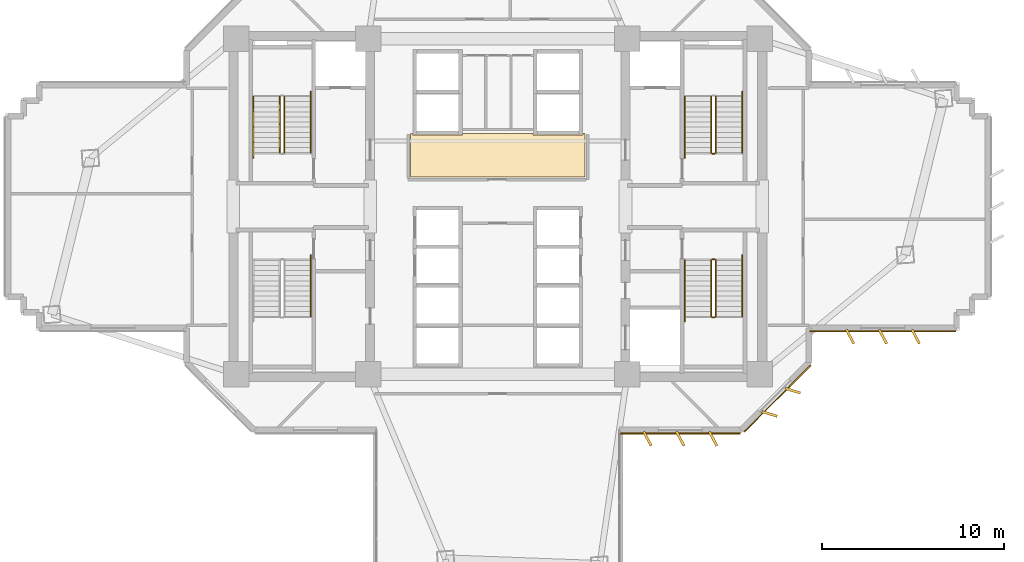
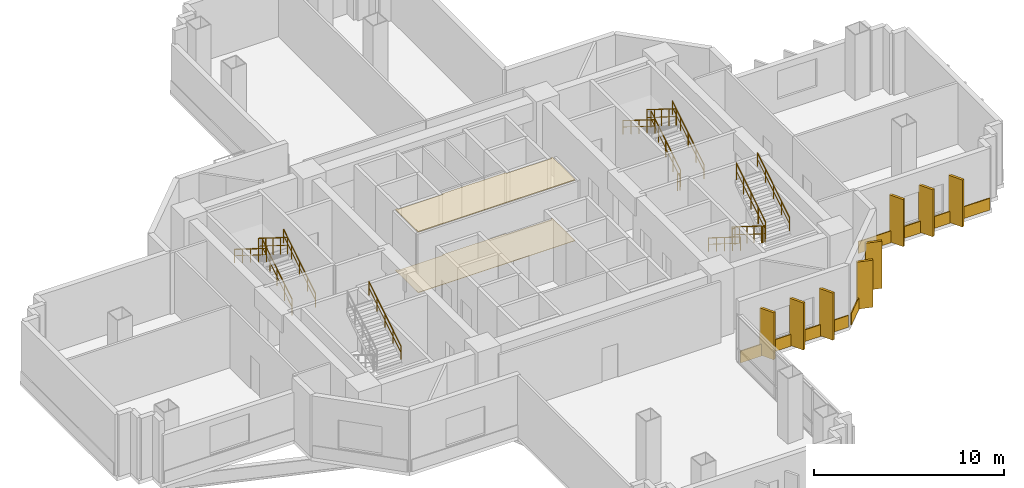
# One storey, part 11 of 14: 16 railings, 8 shading devices, 5 coverings.
"""IFC4 building model written with IfcOpenShell, lengths in metres."""

from ifc_helpers import new_model, si_unit, direction, frame, origin, origin_2d, place, context, subcontext, project, spatial, polyline, rectangle, outline, extrude, source, transform, mapped, material, layer, layer_set, type_object, element, save


model = new_model("IFC4")

# Units and contexts
model_context = context("Model", 3, precision=1e-05, world=origin(), true_north=direction((0.0, 1.0)))
body_context = subcontext(model_context, "Body", "Model", "MODEL_VIEW")
ifc_project = project(units=[si_unit("LENGTHUNIT", "METRE"), si_unit("AREAUNIT", "SQUARE_METRE"), si_unit("VOLUMEUNIT", "CUBIC_METRE"), si_unit("PLANEANGLEUNIT", "RADIAN"), si_unit("MASSUNIT", "GRAM", prefix="KILO")], contexts=[model_context])

# Site, building, storey
site_placement = place(None, origin())
site = spatial("IfcSite", under=ifc_project, at=site_placement, CompositionType="ELEMENT")
building_placement = place(site_placement, origin())
building = spatial("IfcBuilding", under=site, at=building_placement, Name="Zahravan Cultural Tower", CompositionType="ELEMENT")
storey_placement = place(building_placement, frame((0.0, 0.0, 37.5)))
storey = spatial("IfcBuildingStorey", under=building, at=storey_placement, Name="L07", CompositionType="ELEMENT", Elevation=37.5)

# Coverings
ifc_material_1 = material(Name="Acoustic mineral fibreboard")
ifc_layer_1 = layer(ifc_material_1, 0.0400390625)
ifc_layer_set_1 = layer_set([ifc_layer_1], Name="Acoustic mineral fibreboard")
covering_type_1 = type_object("IfcCoveringType", Name="COV-CEIL-AC20", PredefinedType="CEILING", material=ifc_layer_set_1)
covering_1_placement = place(storey_placement, frame((0.0, 0.0, 3.909912109375)))
element("IfcCovering", 1, at=covering_1_placement, inside=storey, type_object=covering_type_1, Name="L07 Acoustic Suspended Ceiling", PredefinedType="CEILING", context=body_context, shape_type="SweptSolid", body=[
    extrude(outline(polyline([(31.219970703125, 31.0), (31.219970703125, 28.6201171875), (40.780029296875, 28.6201171875), (40.780029296875, 31.0), (40.669921875, 31.0), (40.669921875, 30.929931640625), (37.929931640625, 30.929931640625), (37.929931640625, 31.0), (34.070068359375, 31.0), (34.070068359375, 30.929931640625), (31.330078125, 30.929931640625), (31.330078125, 31.0), (31.219970703125, 31.0)])), origin(), (0.0, 0.0, 1.0), 0.0400390625),
])
ifc_material_2 = material(Name="Terrazzo flooring")
ifc_layer_2 = layer(ifc_material_2, 0.02490234375)
ifc_layer_set_2 = layer_set([ifc_layer_2], Name="Terrazzo flooring")
covering_type_2 = type_object("IfcCoveringType", Name="COV-FLR-TZ25", PredefinedType="FLOORING", material=ifc_layer_set_2)
covering_2_placement = place(storey_placement, origin())
element("IfcCovering", 2, at=covering_2_placement, inside=storey, type_object=covering_type_2, Name="L07 Polished Terrazzo Flooring", PredefinedType="FLOORING", context=body_context, shape_type="SweptSolid", body=[
    extrude(outline(polyline([(31.219970703125, 31.0), (31.219970703125, 28.6201171875), (40.780029296875, 28.6201171875), (40.780029296875, 31.0), (40.669921875, 31.0), (40.669921875, 30.929931640625), (37.929931640625, 30.929931640625), (37.929931640625, 31.0), (34.070068359375, 31.0), (34.070068359375, 30.929931640625), (31.330078125, 30.929931640625), (31.330078125, 31.0), (31.219970703125, 31.0)])), origin(), (0.0, 0.0, 1.0), 0.02490234375),
])

# Railings
ifc_material_3 = material(Name="Steel ASTM A572 Grade 50", Category="steel")
railing_type_1 = type_object("IfcRailingType", Name="RL-STAIR-GRD1150", PredefinedType="BALUSTRADE", material=ifc_material_3)
railing_1_placement = place(storey_placement, frame((24.300048828125, 29.949951171875, 0.175048828125)))
element("IfcRailing", 3, at=railing_1_placement, inside=storey, type_object=railing_type_1, Name="L07 ST-W1 stair guard 1", PredefinedType="BALUSTRADE", context=body_context, shape_type="SweptSolid", body=[
    extrude(rectangle(XDim=0.05, YDim=0.05, at=origin_2d()), frame((0.0, 0.0, 1.0751953125), z_axis=(0.0, 0.847998304005, 0.529998940003), x_axis=(-1.0, 0.0, 0.0)), (0.0, 0.0, 1.0), 3.632080078125),
    extrude(rectangle(XDim=0.032, YDim=0.032, at=origin_2d()), frame((0.0, 0.0, 0.572021484375), z_axis=(0.0, 0.847998304005, 0.529998940003), x_axis=(-1.0, 0.0, 0.0)), (0.0, 0.0, 1.0), 3.632080078125),
    extrude(rectangle(XDim=0.04, YDim=0.04, at=origin_2d()), origin(), (0.0, 0.0, 1.0), 1.10009765625),
    extrude(rectangle(XDim=0.04, YDim=0.04, at=origin_2d()), frame((0.0, 0.77001953125, 0.481201171875)), (0.0, 0.0, 1.0), 1.10009765625),
    extrude(rectangle(XDim=0.04, YDim=0.04, at=origin_2d()), frame((0.0, 1.5400390625, 0.96240234375)), (0.0, 0.0, 1.0), 1.10009765625),
    extrude(rectangle(XDim=0.04, YDim=0.04, at=origin_2d()), frame((0.0, 2.31005859375, 1.44384765625)), (0.0, 0.0, 1.0), 1.10009765625),
    extrude(rectangle(XDim=0.04, YDim=0.04, at=origin_2d()), frame((0.0, 3.080078125, 1.925048828125)), (0.0, 0.0, 1.0), 1.10009765625),
])
railing_2_placement = place(storey_placement, frame((24.050048828125, 33.030029296875, 2.27490234375)))
element("IfcRailing", 4, at=railing_2_placement, inside=storey, type_object=railing_type_1, Name="L07 ST-W1 stair guard 3", PredefinedType="BALUSTRADE", context=body_context, shape_type="SweptSolid", body=[
    extrude(rectangle(XDim=0.05, YDim=0.05, at=origin_2d()), frame((0.0, 0.0, 1.0751953125), z_axis=(0.0, -0.847998304005, 0.529998940003), x_axis=(1.0, 0.0, 0.0)), (0.0, 0.0, 1.0), 3.632080078125),
    extrude(rectangle(XDim=0.032, YDim=0.032, at=origin_2d()), frame((0.0, 0.0, 0.572021484375), z_axis=(0.0, -0.847998304005, 0.529998940003), x_axis=(1.0, 0.0, 0.0)), (0.0, 0.0, 1.0), 3.632080078125),
    extrude(rectangle(XDim=0.04, YDim=0.04, at=origin_2d()), origin(), (0.0, 0.0, 1.0), 1.10009765625),
    extrude(rectangle(XDim=0.04, YDim=0.04, at=origin_2d()), frame((0.0, -0.77001953125, 0.481201171875)), (0.0, 0.0, 1.0), 1.10009765625),
    extrude(rectangle(XDim=0.04, YDim=0.04, at=origin_2d()), frame((0.0, -1.5400390625, 0.96240234375)), (0.0, 0.0, 1.0), 1.10009765625),
    extrude(rectangle(XDim=0.04, YDim=0.04, at=origin_2d()), frame((0.0, -2.31005859375, 1.44384765625)), (0.0, 0.0, 1.0), 1.10009765625),
    extrude(rectangle(XDim=0.04, YDim=0.04, at=origin_2d()), frame((0.0, -3.080078125, 1.925048828125)), (0.0, 0.0, 1.0), 1.10009765625),
])
railing_3_placement = place(storey_placement, frame((47.949951171875, 29.949951171875, 0.175048828125)))
element("IfcRailing", 5, at=railing_3_placement, inside=storey, type_object=railing_type_1, Name="L07 ST-E1 stair guard 1", PredefinedType="BALUSTRADE", context=body_context, shape_type="SweptSolid", body=[
    extrude(rectangle(XDim=0.05, YDim=0.05, at=origin_2d()), frame((0.0, 0.0, 1.0751953125), z_axis=(0.0, 0.847998304005, 0.529998940003), x_axis=(-1.0, 0.0, 0.0)), (0.0, 0.0, 1.0), 3.632080078125),
    extrude(rectangle(XDim=0.032, YDim=0.032, at=origin_2d()), frame((0.0, 0.0, 0.572021484375), z_axis=(0.0, 0.847998304005, 0.529998940003), x_axis=(-1.0, 0.0, 0.0)), (0.0, 0.0, 1.0), 3.632080078125),
    extrude(rectangle(XDim=0.04, YDim=0.04, at=origin_2d()), origin(), (0.0, 0.0, 1.0), 1.10009765625),
    extrude(rectangle(XDim=0.04, YDim=0.04, at=origin_2d()), frame((0.0, 0.77001953125, 0.481201171875)), (0.0, 0.0, 1.0), 1.10009765625),
    extrude(rectangle(XDim=0.04, YDim=0.04, at=origin_2d()), frame((0.0, 1.5400390625, 0.96240234375)), (0.0, 0.0, 1.0), 1.10009765625),
    extrude(rectangle(XDim=0.04, YDim=0.04, at=origin_2d()), frame((0.0, 2.31005859375, 1.44384765625)), (0.0, 0.0, 1.0), 1.10009765625),
    extrude(rectangle(XDim=0.04, YDim=0.04, at=origin_2d()), frame((0.0, 3.080078125, 1.925048828125)), (0.0, 0.0, 1.0), 1.10009765625),
])
railing_4_placement = place(storey_placement, frame((47.699951171875, 33.030029296875, 2.27490234375)))
element("IfcRailing", 6, at=railing_4_placement, inside=storey, type_object=railing_type_1, Name="L07 ST-E1 stair guard 3", PredefinedType="BALUSTRADE", context=body_context, shape_type="SweptSolid", body=[
    extrude(rectangle(XDim=0.05, YDim=0.05, at=origin_2d()), frame((0.0, 0.0, 1.0751953125), z_axis=(0.0, -0.847998304005, 0.529998940003), x_axis=(1.0, 0.0, 0.0)), (0.0, 0.0, 1.0), 3.632080078125),
    extrude(rectangle(XDim=0.032, YDim=0.032, at=origin_2d()), frame((0.0, 0.0, 0.572021484375), z_axis=(0.0, -0.847998304005, 0.529998940003), x_axis=(1.0, 0.0, 0.0)), (0.0, 0.0, 1.0), 3.632080078125),
    extrude(rectangle(XDim=0.04, YDim=0.04, at=origin_2d()), origin(), (0.0, 0.0, 1.0), 1.10009765625),
    extrude(rectangle(XDim=0.04, YDim=0.04, at=origin_2d()), frame((0.0, -0.77001953125, 0.481201171875)), (0.0, 0.0, 1.0), 1.10009765625),
    extrude(rectangle(XDim=0.04, YDim=0.04, at=origin_2d()), frame((0.0, -1.5400390625, 0.96240234375)), (0.0, 0.0, 1.0), 1.10009765625),
    extrude(rectangle(XDim=0.04, YDim=0.04, at=origin_2d()), frame((0.0, -2.31005859375, 1.44384765625)), (0.0, 0.0, 1.0), 1.10009765625),
    extrude(rectangle(XDim=0.04, YDim=0.04, at=origin_2d()), frame((0.0, -3.080078125, 1.925048828125)), (0.0, 0.0, 1.0), 1.10009765625),
])
railing_5_placement = place(storey_placement, frame((47.89990234375, 29.89990234375, 0.0)))
element("IfcRailing", 7, at=railing_5_placement, inside=storey, type_object=railing_type_1, Name="L07 ST-E1 stair guard 4", PredefinedType="BALUSTRADE", context=body_context, shape_type="SweptSolid", body=[
    extrude(rectangle(XDim=0.05, YDim=0.05, at=origin_2d()), frame((0.0, 0.0, 1.0751953125), z_axis=(-1.0, 0.0, 0.0), x_axis=(0.0, -1.0, 0.0)), (0.0, 0.0, 1.0), 0.14990234375),
    extrude(rectangle(XDim=0.032, YDim=0.032, at=origin_2d()), frame((0.0, 0.0, 0.572021484375), z_axis=(-1.0, 0.0, 0.0), x_axis=(0.0, -1.0, 0.0)), (0.0, 0.0, 1.0), 0.14990234375),
    extrude(rectangle(XDim=0.04, YDim=0.04, at=origin_2d()), origin(), (0.0, 0.0, 1.0), 1.10009765625),
    extrude(rectangle(XDim=0.04, YDim=0.04, at=origin_2d()), frame((-0.14990234375, 0.0, 0.0)), (0.0, 0.0, 1.0), 1.10009765625),
])
railing_6_placement = place(storey_placement, frame((47.699951171875, 24.050048828125, 0.175048828125)))
element("IfcRailing", 8, at=railing_6_placement, inside=storey, type_object=railing_type_1, Name="L07 ST-E2 stair guard 1", PredefinedType="BALUSTRADE", context=body_context, shape_type="SweptSolid", body=[
    extrude(rectangle(XDim=0.05, YDim=0.05, at=origin_2d()), frame((0.0, 0.0, 1.0751953125), z_axis=(0.0, -0.847998304005, 0.529998940003), x_axis=(1.0, 0.0, 0.0)), (0.0, 0.0, 1.0), 3.632080078125),
    extrude(rectangle(XDim=0.032, YDim=0.032, at=origin_2d()), frame((0.0, 0.0, 0.572021484375), z_axis=(0.0, -0.847998304005, 0.529998940003), x_axis=(1.0, 0.0, 0.0)), (0.0, 0.0, 1.0), 3.632080078125),
    extrude(rectangle(XDim=0.04, YDim=0.04, at=origin_2d()), origin(), (0.0, 0.0, 1.0), 1.10009765625),
    extrude(rectangle(XDim=0.04, YDim=0.04, at=origin_2d()), frame((0.0, -0.77001953125, 0.481201171875)), (0.0, 0.0, 1.0), 1.10009765625),
    extrude(rectangle(XDim=0.04, YDim=0.04, at=origin_2d()), frame((0.0, -1.5400390625, 0.96240234375)), (0.0, 0.0, 1.0), 1.10009765625),
    extrude(rectangle(XDim=0.04, YDim=0.04, at=origin_2d()), frame((0.0, -2.31005859375, 1.44384765625)), (0.0, 0.0, 1.0), 1.10009765625),
    extrude(rectangle(XDim=0.04, YDim=0.04, at=origin_2d()), frame((0.0, -3.080078125, 1.925048828125)), (0.0, 0.0, 1.0), 1.10009765625),
])
railing_7_placement = place(storey_placement, frame((47.75, 20.919921875, 2.10009765625)))
element("IfcRailing", 9, at=railing_7_placement, inside=storey, type_object=railing_type_1, Name="L07 ST-E2 stair guard 2", PredefinedType="BALUSTRADE", context=body_context, shape_type="SweptSolid", body=[
    extrude(rectangle(XDim=0.05, YDim=0.05, at=origin_2d()), frame((0.0, 0.0, 1.0751953125), z_axis=(1.0, 0.0, 0.0), x_axis=(0.0, 1.0, 0.0)), (0.0, 0.0, 1.0), 0.14990234375),
    extrude(rectangle(XDim=0.032, YDim=0.032, at=origin_2d()), frame((0.0, 0.0, 0.572021484375), z_axis=(1.0, 0.0, 0.0), x_axis=(0.0, 1.0, 0.0)), (0.0, 0.0, 1.0), 0.14990234375),
    extrude(rectangle(XDim=0.04, YDim=0.04, at=origin_2d()), origin(), (0.0, 0.0, 1.0), 1.10009765625),
    extrude(rectangle(XDim=0.04, YDim=0.04, at=origin_2d()), frame((0.14990234375, 0.0, 0.0)), (0.0, 0.0, 1.0), 1.10009765625),
])
railing_8_placement = place(storey_placement, frame((47.949951171875, 20.969970703125, 2.27490234375)))
element("IfcRailing", 10, at=railing_8_placement, inside=storey, type_object=railing_type_1, Name="L07 ST-E2 stair guard 3", PredefinedType="BALUSTRADE", context=body_context, shape_type="SweptSolid", body=[
    extrude(rectangle(XDim=0.05, YDim=0.05, at=origin_2d()), frame((0.0, 0.0, 1.0751953125), z_axis=(0.0, 0.847998304005, 0.529998940003), x_axis=(-1.0, 0.0, 0.0)), (0.0, 0.0, 1.0), 3.632080078125),
    extrude(rectangle(XDim=0.032, YDim=0.032, at=origin_2d()), frame((0.0, 0.0, 0.572021484375), z_axis=(0.0, 0.847998304005, 0.529998940003), x_axis=(-1.0, 0.0, 0.0)), (0.0, 0.0, 1.0), 3.632080078125),
    extrude(rectangle(XDim=0.04, YDim=0.04, at=origin_2d()), origin(), (0.0, 0.0, 1.0), 1.10009765625),
    extrude(rectangle(XDim=0.04, YDim=0.04, at=origin_2d()), frame((0.0, 0.77001953125, 0.481201171875)), (0.0, 0.0, 1.0), 1.10009765625),
    extrude(rectangle(XDim=0.04, YDim=0.04, at=origin_2d()), frame((0.0, 1.5400390625, 0.96240234375)), (0.0, 0.0, 1.0), 1.10009765625),
    extrude(rectangle(XDim=0.04, YDim=0.04, at=origin_2d()), frame((0.0, 2.31005859375, 1.44384765625)), (0.0, 0.0, 1.0), 1.10009765625),
    extrude(rectangle(XDim=0.04, YDim=0.04, at=origin_2d()), frame((0.0, 3.080078125, 1.925048828125)), (0.0, 0.0, 1.0), 1.10009765625),
])
railing_9_placement = place(storey_placement, frame((47.75, 24.10009765625, 0.0)))
element("IfcRailing", 11, at=railing_9_placement, inside=storey, type_object=railing_type_1, Name="L07 ST-E2 stair guard 4", PredefinedType="BALUSTRADE", context=body_context, shape_type="SweptSolid", body=[
    extrude(rectangle(XDim=0.05, YDim=0.05, at=origin_2d()), frame((0.0, 0.0, 1.0751953125), z_axis=(1.0, 0.0, 0.0), x_axis=(0.0, 1.0, 0.0)), (0.0, 0.0, 1.0), 0.14990234375),
    extrude(rectangle(XDim=0.032, YDim=0.032, at=origin_2d()), frame((0.0, 0.0, 0.572021484375), z_axis=(1.0, 0.0, 0.0), x_axis=(0.0, 1.0, 0.0)), (0.0, 0.0, 1.0), 0.14990234375),
    extrude(rectangle(XDim=0.04, YDim=0.04, at=origin_2d()), origin(), (0.0, 0.0, 1.0), 1.10009765625),
    extrude(rectangle(XDim=0.04, YDim=0.04, at=origin_2d()), frame((0.14990234375, 0.0, 0.0)), (0.0, 0.0, 1.0), 1.10009765625),
])
railing_type_2 = type_object("IfcRailingType", Name="RL-STAIR-HR900", PredefinedType="HANDRAIL", material=ifc_material_3)
railing_10_placement = place(storey_placement, frame((25.75, 29.949951171875, 0.175048828125)))
element("IfcRailing", 12, at=railing_10_placement, inside=storey, type_object=railing_type_2, Name="L07 ST-W1 stair handrail 1", PredefinedType="HANDRAIL", context=body_context, shape_type="SweptSolid", body=[
    extrude(rectangle(XDim=0.05, YDim=0.05, at=origin_2d()), frame((0.0, 0.0, 0.875), z_axis=(0.0, 0.848022534174, 0.529960169762), x_axis=(-1.0, 0.0, 0.0)), (0.0, 0.0, 1.0), 3.96240234375),
    extrude(rectangle(XDim=0.032, YDim=0.032, at=origin_2d()), frame((0.0, 0.0, 0.468017578125), z_axis=(0.0, 0.848022534174, 0.529960169762), x_axis=(-1.0, 0.0, 0.0)), (0.0, 0.0, 1.0), 3.96240234375),
    extrude(rectangle(XDim=0.04, YDim=0.04, at=origin_2d()), origin(), (0.0, 0.0, 1.0), 0.89990234375),
    extrude(rectangle(XDim=0.04, YDim=0.04, at=origin_2d()), frame((0.0, 0.840087890625, 0.52490234375)), (0.0, 0.0, 1.0), 0.89990234375),
    extrude(rectangle(XDim=0.04, YDim=0.04, at=origin_2d()), frame((0.0, 1.68017578125, 1.0498046875)), (0.0, 0.0, 1.0), 0.89990234375),
    extrude(rectangle(XDim=0.04, YDim=0.04, at=origin_2d()), frame((0.0, 2.52001953125, 1.574951171875)), (0.0, 0.0, 1.0), 0.89990234375),
    extrude(rectangle(XDim=0.04, YDim=0.04, at=origin_2d()), frame((0.0, 3.360107421875, 2.099853515625)), (0.0, 0.0, 1.0), 0.89990234375),
])
railing_11_placement = place(storey_placement, frame((22.60009765625, 33.030029296875, 2.27490234375)))
element("IfcRailing", 13, at=railing_11_placement, inside=storey, type_object=railing_type_2, Name="L07 ST-W1 stair handrail 2", PredefinedType="HANDRAIL", context=body_context, shape_type="SweptSolid", body=[
    extrude(rectangle(XDim=0.05, YDim=0.05, at=origin_2d()), frame((0.0, 0.0, 0.875), z_axis=(0.0, -0.847994842521, 0.530004478338), x_axis=(1.0, 0.0, 0.0)), (0.0, 0.0, 1.0), 3.96240234375),
    extrude(rectangle(XDim=0.032, YDim=0.032, at=origin_2d()), frame((0.0, 0.0, 0.468017578125), z_axis=(0.0, -0.847994842521, 0.530004478338), x_axis=(1.0, 0.0, 0.0)), (0.0, 0.0, 1.0), 3.96240234375),
    extrude(rectangle(XDim=0.04, YDim=0.04, at=origin_2d()), origin(), (0.0, 0.0, 1.0), 0.89990234375),
    extrude(rectangle(XDim=0.04, YDim=0.04, at=origin_2d()), frame((0.0, -0.840087890625, 0.52490234375)), (0.0, 0.0, 1.0), 0.89990234375),
    extrude(rectangle(XDim=0.04, YDim=0.04, at=origin_2d()), frame((0.0, -1.68017578125, 1.050048828125)), (0.0, 0.0, 1.0), 0.89990234375),
    extrude(rectangle(XDim=0.04, YDim=0.04, at=origin_2d()), frame((0.0, -2.52001953125, 1.5751953125)), (0.0, 0.0, 1.0), 0.89990234375),
    extrude(rectangle(XDim=0.04, YDim=0.04, at=origin_2d()), frame((0.0, -3.360107421875, 2.10009765625)), (0.0, 0.0, 1.0), 0.89990234375),
])
railing_12_placement = place(storey_placement, frame((25.75, 20.969970703125, 2.27490234375)))
element("IfcRailing", 14, at=railing_12_placement, inside=storey, type_object=railing_type_2, Name="L07 ST-W2 stair handrail 2", PredefinedType="HANDRAIL", context=body_context, shape_type="SweptSolid", body=[
    extrude(rectangle(XDim=0.05, YDim=0.05, at=origin_2d()), frame((0.0, 0.0, 0.875), z_axis=(0.0, 0.847994842521, 0.530004478338), x_axis=(-1.0, 0.0, 0.0)), (0.0, 0.0, 1.0), 3.96240234375),
    extrude(rectangle(XDim=0.032, YDim=0.032, at=origin_2d()), frame((0.0, 0.0, 0.468017578125), z_axis=(0.0, 0.847994842521, 0.530004478338), x_axis=(-1.0, 0.0, 0.0)), (0.0, 0.0, 1.0), 3.96240234375),
    extrude(rectangle(XDim=0.04, YDim=0.04, at=origin_2d()), origin(), (0.0, 0.0, 1.0), 0.89990234375),
    extrude(rectangle(XDim=0.04, YDim=0.04, at=origin_2d()), frame((0.0, 0.840087890625, 0.52490234375)), (0.0, 0.0, 1.0), 0.89990234375),
    extrude(rectangle(XDim=0.04, YDim=0.04, at=origin_2d()), frame((0.0, 1.68017578125, 1.050048828125)), (0.0, 0.0, 1.0), 0.89990234375),
    extrude(rectangle(XDim=0.04, YDim=0.04, at=origin_2d()), frame((0.0, 2.52001953125, 1.5751953125)), (0.0, 0.0, 1.0), 0.89990234375),
    extrude(rectangle(XDim=0.04, YDim=0.04, at=origin_2d()), frame((0.0, 3.360107421875, 2.10009765625)), (0.0, 0.0, 1.0), 0.89990234375),
])
railing_13_placement = place(storey_placement, frame((49.39990234375, 29.949951171875, 0.175048828125)))
element("IfcRailing", 15, at=railing_13_placement, inside=storey, type_object=railing_type_2, Name="L07 ST-E1 stair handrail 1", PredefinedType="HANDRAIL", context=body_context, shape_type="SweptSolid", body=[
    extrude(rectangle(XDim=0.05, YDim=0.05, at=origin_2d()), frame((0.0, 0.0, 0.875), z_axis=(0.0, 0.848022534174, 0.529960169762), x_axis=(-1.0, 0.0, 0.0)), (0.0, 0.0, 1.0), 3.96240234375),
    extrude(rectangle(XDim=0.032, YDim=0.032, at=origin_2d()), frame((0.0, 0.0, 0.468017578125), z_axis=(0.0, 0.848022534174, 0.529960169762), x_axis=(-1.0, 0.0, 0.0)), (0.0, 0.0, 1.0), 3.96240234375),
    extrude(rectangle(XDim=0.04, YDim=0.04, at=origin_2d()), origin(), (0.0, 0.0, 1.0), 0.89990234375),
    extrude(rectangle(XDim=0.04, YDim=0.04, at=origin_2d()), frame((0.0, 0.840087890625, 0.52490234375)), (0.0, 0.0, 1.0), 0.89990234375),
    extrude(rectangle(XDim=0.04, YDim=0.04, at=origin_2d()), frame((0.0, 1.68017578125, 1.0498046875)), (0.0, 0.0, 1.0), 0.89990234375),
    extrude(rectangle(XDim=0.04, YDim=0.04, at=origin_2d()), frame((0.0, 2.52001953125, 1.574951171875)), (0.0, 0.0, 1.0), 0.89990234375),
    extrude(rectangle(XDim=0.04, YDim=0.04, at=origin_2d()), frame((0.0, 3.360107421875, 2.099853515625)), (0.0, 0.0, 1.0), 0.89990234375),
])
railing_14_placement = place(storey_placement, frame((46.25, 33.030029296875, 2.27490234375)))
element("IfcRailing", 16, at=railing_14_placement, inside=storey, type_object=railing_type_2, Name="L07 ST-E1 stair handrail 2", PredefinedType="HANDRAIL", context=body_context, shape_type="SweptSolid", body=[
    extrude(rectangle(XDim=0.05, YDim=0.05, at=origin_2d()), frame((0.0, 0.0, 0.875), z_axis=(0.0, -0.847994842521, 0.530004478338), x_axis=(1.0, 0.0, 0.0)), (0.0, 0.0, 1.0), 3.96240234375),
    extrude(rectangle(XDim=0.032, YDim=0.032, at=origin_2d()), frame((0.0, 0.0, 0.468017578125), z_axis=(0.0, -0.847994842521, 0.530004478338), x_axis=(1.0, 0.0, 0.0)), (0.0, 0.0, 1.0), 3.96240234375),
    extrude(rectangle(XDim=0.04, YDim=0.04, at=origin_2d()), origin(), (0.0, 0.0, 1.0), 0.89990234375),
    extrude(rectangle(XDim=0.04, YDim=0.04, at=origin_2d()), frame((0.0, -0.840087890625, 0.52490234375)), (0.0, 0.0, 1.0), 0.89990234375),
    extrude(rectangle(XDim=0.04, YDim=0.04, at=origin_2d()), frame((0.0, -1.68017578125, 1.050048828125)), (0.0, 0.0, 1.0), 0.89990234375),
    extrude(rectangle(XDim=0.04, YDim=0.04, at=origin_2d()), frame((0.0, -2.52001953125, 1.5751953125)), (0.0, 0.0, 1.0), 0.89990234375),
    extrude(rectangle(XDim=0.04, YDim=0.04, at=origin_2d()), frame((0.0, -3.360107421875, 2.10009765625)), (0.0, 0.0, 1.0), 0.89990234375),
])
railing_15_placement = place(storey_placement, frame((46.25, 24.050048828125, 0.175048828125)))
element("IfcRailing", 17, at=railing_15_placement, inside=storey, type_object=railing_type_2, Name="L07 ST-E2 stair handrail 1", PredefinedType="HANDRAIL", context=body_context, shape_type="SweptSolid", body=[
    extrude(rectangle(XDim=0.05, YDim=0.05, at=origin_2d()), frame((0.0, 0.0, 0.875), z_axis=(0.0, -0.848022534174, 0.529960169762), x_axis=(1.0, 0.0, 0.0)), (0.0, 0.0, 1.0), 3.96240234375),
    extrude(rectangle(XDim=0.032, YDim=0.032, at=origin_2d()), frame((0.0, 0.0, 0.468017578125), z_axis=(0.0, -0.848022534174, 0.529960169762), x_axis=(1.0, 0.0, 0.0)), (0.0, 0.0, 1.0), 3.96240234375),
    extrude(rectangle(XDim=0.04, YDim=0.04, at=origin_2d()), origin(), (0.0, 0.0, 1.0), 0.89990234375),
    extrude(rectangle(XDim=0.04, YDim=0.04, at=origin_2d()), frame((0.0, -0.840087890625, 0.52490234375)), (0.0, 0.0, 1.0), 0.89990234375),
    extrude(rectangle(XDim=0.04, YDim=0.04, at=origin_2d()), frame((0.0, -1.68017578125, 1.0498046875)), (0.0, 0.0, 1.0), 0.89990234375),
    extrude(rectangle(XDim=0.04, YDim=0.04, at=origin_2d()), frame((0.0, -2.52001953125, 1.574951171875)), (0.0, 0.0, 1.0), 0.89990234375),
    extrude(rectangle(XDim=0.04, YDim=0.04, at=origin_2d()), frame((0.0, -3.360107421875, 2.099853515625)), (0.0, 0.0, 1.0), 0.89990234375),
])
railing_16_placement = place(storey_placement, frame((49.39990234375, 20.969970703125, 2.27490234375)))
element("IfcRailing", 18, at=railing_16_placement, inside=storey, type_object=railing_type_2, Name="L07 ST-E2 stair handrail 2", PredefinedType="HANDRAIL", context=body_context, shape_type="SweptSolid", body=[
    extrude(rectangle(XDim=0.05, YDim=0.05, at=origin_2d()), frame((0.0, 0.0, 0.875), z_axis=(0.0, 0.847994842521, 0.530004478338), x_axis=(-1.0, 0.0, 0.0)), (0.0, 0.0, 1.0), 3.96240234375),
    extrude(rectangle(XDim=0.032, YDim=0.032, at=origin_2d()), frame((0.0, 0.0, 0.468017578125), z_axis=(0.0, 0.847994842521, 0.530004478338), x_axis=(-1.0, 0.0, 0.0)), (0.0, 0.0, 1.0), 3.96240234375),
    extrude(rectangle(XDim=0.04, YDim=0.04, at=origin_2d()), origin(), (0.0, 0.0, 1.0), 0.89990234375),
    extrude(rectangle(XDim=0.04, YDim=0.04, at=origin_2d()), frame((0.0, 0.840087890625, 0.52490234375)), (0.0, 0.0, 1.0), 0.89990234375),
    extrude(rectangle(XDim=0.04, YDim=0.04, at=origin_2d()), frame((0.0, 1.68017578125, 1.050048828125)), (0.0, 0.0, 1.0), 0.89990234375),
    extrude(rectangle(XDim=0.04, YDim=0.04, at=origin_2d()), frame((0.0, 2.52001953125, 1.5751953125)), (0.0, 0.0, 1.0), 0.89990234375),
    extrude(rectangle(XDim=0.04, YDim=0.04, at=origin_2d()), frame((0.0, 3.360107421875, 2.10009765625)), (0.0, 0.0, 1.0), 0.89990234375),
])

# Covering
ifc_material_4 = material(Name="Terracotta ceramic cladding", Category="masonry")
ifc_layer_3 = layer(ifc_material_4, 0.06005859375)
ifc_layer_set_3 = layer_set([ifc_layer_3], Name="Terracotta ceramic cladding")
covering_type_3 = type_object("IfcCoveringType", Name="COV-CLAD-TC60", PredefinedType="CLADDING", material=ifc_layer_set_3)
shared_shape_1 = source(origin(), body_context, "Body", "SweptSolid", [
    extrude(rectangle(XDim=8.0, YDim=0.06005859375, at=origin_2d()), origin(), (0.0, 0.0, 1.0), 0.760009765625),
])
covering_3_placement = place(storey_placement, frame((57.110107421875, 20.155029296875, 0.02001953125), z_axis=(0.0, 0.0, 1.0), x_axis=(-1.0, 0.0, 0.0)))
element("IfcCovering", 19, at=covering_3_placement, inside=storey, type_object=covering_type_3, Name="L07 Terracotta Spandrel Cladding 11", PredefinedType="CLADDING", context=body_context, shape_type="MappedRepresentation", body=[
    mapped(shared_shape_1, transform((0.0, 0.0, 0.0), x_axis=(1.0, 0.0, 0.0), y_axis=(0.0, 1.0, 0.0), z_axis=(0.0, 0.0, 1.0), scale=1.0)),
])

# Shading devices
ifc_material_5 = material(Name="Architectural terracotta fin", Category="masonry")
shading_device_type = type_object("IfcShadingDeviceType", Name="SHD-FIN-880", PredefinedType="USERDEFINED", material=ifc_material_5)
shared_shape_2 = source(origin(), body_context, "Body", "SweptSolid", [
    extrude(rectangle(XDim=0.8798828125, YDim=0.139892578125, at=origin_2d()), origin(), (0.0, 0.0, 1.0), 3.030029296875),
])
for number, where, z_axis, x_axis, name in (
    (20, (58.909912109375, 19.8701171875, 0.0498046875), (0.0, 0.0, 1.0), (0.469471562786, -0.882947592859, 0.0), "L07 Herringbone Terracotta Fin 07"),
    (21, (57.110107421875, 19.8701171875, 0.0498046875), (0.0, 0.0, 1.0), (0.469471562786, -0.882947592859, 0.0), "L07 Herringbone Terracotta Fin 08"),
    (22, (55.31005859375, 19.8701171875, 0.0498046875), (0.0, 0.0, 1.0), (0.469471562786, -0.882947592859, 0.0), "L07 Herringbone Terracotta Fin 09"),
    (23, (52.169677734375, 16.903076171875, 0.0498046875), (0.0, 0.0, 1.0), (0.956304755963, -0.292371704723, 0.0), "L07 Herringbone Terracotta Fin 10"),
    (24, (50.89697265625, 15.63037109375, 0.0498046875), (0.0, 0.0, 1.0), (0.956304755963, -0.292371704723, 0.0), "L07 Herringbone Terracotta Fin 11"),
    (25, (47.801025390625, 14.27001953125, 0.0498046875), (0.0, 0.0, 1.0), (0.469471562786, -0.882947592859, 0.0), "L07 Herringbone Terracotta Fin 12"),
    (26, (46.0009765625, 14.27001953125, 0.0498046875), (0.0, 0.0, 1.0), (0.469471562786, -0.882947592859, 0.0), "L07 Herringbone Terracotta Fin 13"),
    (27, (44.200927734375, 14.27001953125, 0.0498046875), (0.0, 0.0, 1.0), (0.469471562786, -0.882947592859, 0.0), "L07 Herringbone Terracotta Fin 14"),
):
    element("IfcShadingDevice", number, at=place(storey_placement, frame(where, z_axis=z_axis, x_axis=x_axis)), inside=storey, type_object=shading_device_type, Name=name, ObjectType="FIN", PredefinedType="USERDEFINED", context=body_context, shape_type="MappedRepresentation", body=[
        mapped(shared_shape_2, transform((0.0, 0.0, 0.0), x_axis=(1.0, 0.0, 0.0), y_axis=(0.0, 1.0, 0.0), z_axis=(0.0, 0.0, 1.0), scale=1.0)),
    ])

# Coverings
shared_shape_3 = source(origin(), body_context, "Body", "SweptSolid", [
    extrude(rectangle(XDim=5.157958984375, YDim=0.06005859375, at=origin_2d()), origin(), (0.0, 0.0, 1.0), 0.760009765625),
])
covering_4_placement = place(storey_placement, frame((51.331787109375, 16.46826171875, 0.02001953125), z_axis=(0.0, 0.0, 1.0), x_axis=(-0.707106781187, -0.707106781187, 0.0)))
element("IfcCovering", 28, at=covering_4_placement, inside=storey, type_object=covering_type_3, Name="L07 Terracotta Spandrel Cladding 13", PredefinedType="CLADDING", context=body_context, shape_type="MappedRepresentation", body=[
    mapped(shared_shape_3, transform((0.0, 0.0, 0.0), x_axis=(1.0, 0.0, 0.0), y_axis=(0.0, 1.0, 0.0), z_axis=(0.0, 0.0, 1.0), scale=1.0)),
])
shared_shape_4 = source(origin(), body_context, "Body", "SweptSolid", [
    extrude(rectangle(XDim=6.58203125, YDim=0.06005859375, at=origin_2d()), origin(), (0.0, 0.0, 1.0), 0.760009765625),
])
covering_5_placement = place(storey_placement, frame((46.0009765625, 14.554931640625, 0.02001953125), z_axis=(0.0, 0.0, 1.0), x_axis=(-1.0, 0.0, 0.0)))
element("IfcCovering", 29, at=covering_5_placement, inside=storey, type_object=covering_type_3, Name="L07 Terracotta Spandrel Cladding 14", PredefinedType="CLADDING", context=body_context, shape_type="MappedRepresentation", body=[
    mapped(shared_shape_4, transform((0.0, 0.0, 0.0), x_axis=(1.0, 0.0, 0.0), y_axis=(0.0, 1.0, 0.0), z_axis=(0.0, 0.0, 1.0), scale=1.0)),
])

save(model, "model.ifc")
